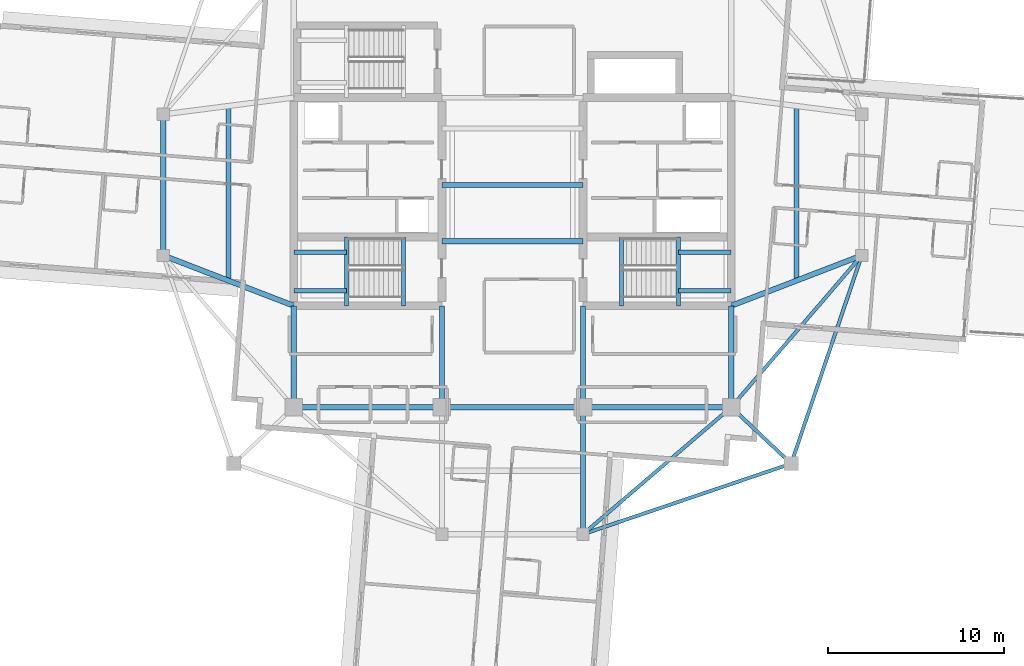
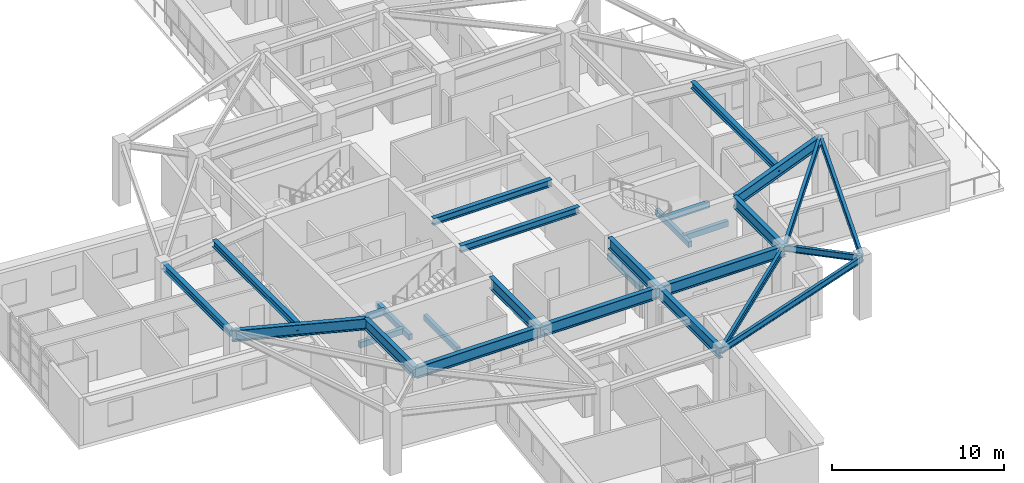
# One storey, part 5 of 23: 28 beams.
"""IFC4 building model written with IfcOpenShell, lengths in metres."""

from ifc_helpers import new_model, si_unit, direction, frame, origin, origin_2d, place, context, subcontext, project, spatial, rectangle, i_section, extrude, material, material_profile, profile_set, type_object, element, save


model = new_model("IFC4")

# Units and contexts
model_context = context("Model", 3, precision=1e-05, world=origin(), true_north=direction((0.0, 1.0)))
body_context = subcontext(model_context, "Body", "Model", "MODEL_VIEW")
ifc_project = project(units=[si_unit("LENGTHUNIT", "METRE"), si_unit("AREAUNIT", "SQUARE_METRE"), si_unit("VOLUMEUNIT", "CUBIC_METRE"), si_unit("PLANEANGLEUNIT", "RADIAN"), si_unit("MASSUNIT", "GRAM", prefix="KILO")], contexts=[model_context])

# Site, building, storey
site_placement = place(None, origin())
site = spatial("IfcSite", under=ifc_project, at=site_placement, CompositionType="ELEMENT")
building_placement = place(site_placement, origin())
building = spatial("IfcBuilding", under=site, at=building_placement, Name="Qingluan Cross Belvedere", CompositionType="ELEMENT")
storey_placement = place(building_placement, frame((0.0, 0.0, 245.39990234375)))
storey = spatial("IfcBuildingStorey", under=building, at=storey_placement, Name="L61", CompositionType="ELEMENT", Elevation=245.39990234375)

# Beams
ifc_material_1 = material(Name="Concrete C45", Category="concrete")
ifc_material_profile_1 = material_profile(ifc_material_1, rectangle(XDim=0.25, YDim=0.39990234375, at=origin_2d()), Name="RC250x400")
ifc_profile_set_1 = profile_set([ifc_material_profile_1], Name="Concrete C45")
beam_type_1 = type_object("IfcBeamType", Name="RC_Lintel_RC250x400", PredefinedType="LINTEL", material=ifc_profile_set_1)
for number, where, z_axis, x_axis, name in (
    (1, (-6.179931640625, -6.85009765625, -0.199951171875), (0.0, 1.0, 0.0), (-1.0, 0.0, 0.0), "Stair ST1 landing beam L61"),
    (2, (6.179931640625, -6.85009765625, -0.199951171875), (0.0, 1.0, 0.0), (-1.0, 0.0, 0.0), "Stair ST2 landing beam L61"),
    (3, (-9.409912109375, -6.85009765625, 1.85009765625), (0.0, 1.0, 0.0), (-1.0, 0.0, 0.0), "Stair ST1 beam A L61"),
):
    element("IfcBeam", number, at=place(storey_placement, frame(where, z_axis=z_axis, x_axis=x_axis)), inside=storey, type_object=beam_type_1, Name=name, PredefinedType="LINTEL", context=body_context, shape_type="SweptSolid", body=[
        extrude(rectangle(XDim=0.25, YDim=0.39990234375, at=origin_2d()), origin(), (0.0, 0.0, 1.0), 3.89013671875),
    ])
for number, where, z_axis, x_axis, name in (
    (4, (-12.39990234375, -6.0, 1.85009765625), (1.0, 0.0, 0.0), (0.0, 1.0, 0.0), "Stair ST1 beam B L61"),
    (5, (-12.39990234375, -3.81005859375, 1.85009765625), (1.0, 0.0, 0.0), (0.0, 1.0, 0.0), "Stair ST1 beam C L61"),
):
    element("IfcBeam", number, at=place(storey_placement, frame(where, z_axis=z_axis, x_axis=x_axis)), inside=storey, type_object=beam_type_1, Name=name, PredefinedType="LINTEL", context=body_context, shape_type="SweptSolid", body=[
        extrude(rectangle(XDim=0.25, YDim=0.39990234375, at=origin_2d()), origin(), (0.0, 0.0, 1.0), 2.989990234375),
    ])
beam_1_placement = place(storey_placement, frame((9.409912109375, -6.85009765625, 1.85009765625), z_axis=(0.0, 1.0, 0.0), x_axis=(-1.0, 0.0, 0.0)))
element("IfcBeam", 6, at=beam_1_placement, inside=storey, type_object=beam_type_1, Name="Stair ST2 beam A L61", PredefinedType="LINTEL", context=body_context, shape_type="SweptSolid", body=[
    extrude(rectangle(XDim=0.25, YDim=0.39990234375, at=origin_2d()), origin(), (0.0, 0.0, 1.0), 3.89013671875),
])
for number, where, z_axis, x_axis, name in (
    (7, (12.39990234375, -6.0, 1.85009765625), (-1.0, 0.0, 0.0), (0.0, -1.0, 0.0), "Stair ST2 beam B L61"),
    (8, (12.39990234375, -3.81005859375, 1.85009765625), (-1.0, 0.0, 0.0), (0.0, -1.0, 0.0), "Stair ST2 beam C L61"),
):
    element("IfcBeam", number, at=place(storey_placement, frame(where, z_axis=z_axis, x_axis=x_axis)), inside=storey, type_object=beam_type_1, Name=name, PredefinedType="LINTEL", context=body_context, shape_type="SweptSolid", body=[
        extrude(rectangle(XDim=0.25, YDim=0.39990234375, at=origin_2d()), origin(), (0.0, 0.0, 1.0), 2.989990234375),
    ])
ifc_material_2 = material(Name="Steel Q420GJB", Category="steel")
ifc_material_profile_2 = material_profile(ifc_material_2, i_section(OverallWidth=0.300048828125, OverallDepth=0.488037109375, WebThickness=0.010986328125, FlangeThickness=0.01806640625, FilletRadius=0.02197265625, at=origin_2d()), Name="HM488x300x11x18")
ifc_profile_set_2 = profile_set([ifc_material_profile_2], Name="Steel Q420GJB")
beam_type_2 = type_object("IfcBeamType", Name="Steel_Beam_HM488x300x11x18", PredefinedType="BEAM", material=ifc_profile_set_2)
for number, where, z_axis, x_axis, name in (
    (9, (-4.0, -3.199951171875, 4.05615234375), (1.0, 0.0, 0.0), (0.0, 1.0, 0.0), "Hall beam L61-CH1"),
    (10, (-4.0, 0.0, 4.05615234375), (1.0, 0.0, 0.0), (0.0, 1.0, 0.0), "Hall beam L61-CH2"),
):
    element("IfcBeam", number, at=place(storey_placement, frame(where, z_axis=z_axis, x_axis=x_axis)), inside=storey, type_object=beam_type_2, Name=name, PredefinedType="BEAM", context=body_context, shape_type="SweptSolid", body=[
        extrude(i_section(OverallWidth=0.300048828125, OverallDepth=0.488037109375, WebThickness=0.010986328125, FlangeThickness=0.01806640625, FilletRadius=0.02197265625, at=origin_2d()), origin(), (0.0, 0.0, 1.0), 8.0),
    ])
beam_2_placement = place(storey_placement, frame((16.10009765625, -5.425048828125, 4.05615234375), z_axis=(0.0, 1.0, 0.0), x_axis=(-1.0, 0.0, 0.0)))
element("IfcBeam", 11, at=beam_2_placement, inside=storey, type_object=beam_type_2, Name="Arm E beam L61", PredefinedType="BEAM", context=body_context, shape_type="SweptSolid", body=[
    extrude(i_section(OverallWidth=0.300048828125, OverallDepth=0.488037109375, WebThickness=0.010986328125, FlangeThickness=0.01806640625, FilletRadius=0.02197265625, at=origin_2d()), origin(), (0.0, 0.0, 1.0), 9.900146484375),
])
beam_3_placement = place(storey_placement, frame((-19.800048828125, -4.0, 4.05615234375), z_axis=(0.0, 1.0, 0.0), x_axis=(-1.0, 0.0, 0.0)))
element("IfcBeam", 12, at=beam_3_placement, inside=storey, type_object=beam_type_2, Name="Arm W tie L61", PredefinedType="BEAM", context=body_context, shape_type="SweptSolid", body=[
    extrude(i_section(OverallWidth=0.300048828125, OverallDepth=0.488037109375, WebThickness=0.010986328125, FlangeThickness=0.01806640625, FilletRadius=0.02197265625, at=origin_2d()), origin(), (0.0, 0.0, 1.0), 8.0),
])
beam_4_placement = place(storey_placement, frame((-16.10009765625, -5.425048828125, 4.05615234375), z_axis=(0.0, 1.0, 0.0), x_axis=(-1.0, 0.0, 0.0)))
element("IfcBeam", 13, at=beam_4_placement, inside=storey, type_object=beam_type_2, Name="Arm W beam L61", PredefinedType="BEAM", context=body_context, shape_type="SweptSolid", body=[
    extrude(i_section(OverallWidth=0.300048828125, OverallDepth=0.488037109375, WebThickness=0.010986328125, FlangeThickness=0.01806640625, FilletRadius=0.02197265625, at=origin_2d()), origin(), (0.0, 0.0, 1.0), 9.900146484375),
])
ifc_material_3 = material(Name="Steel Q420GJB", Category="steel")
ifc_material_profile_3 = material_profile(ifc_material_3, i_section(OverallWidth=0.199951171875, OverallDepth=0.449951171875, WebThickness=0.009033203125, FlangeThickness=0.013916015625, FilletRadius=0.01611328125, at=origin_2d()), Name="HN450x200x9x14")
ifc_profile_set_3 = profile_set([ifc_material_profile_3], Name="Steel Q420GJB")
beam_type_3 = type_object("IfcBeamType", Name="Steel_Beam_HN450x200x9x14", PredefinedType="JOIST", material=ifc_profile_set_3)
beam_5_placement = place(storey_placement, frame((12.39990234375, -12.60009765625, 4.0751953125), z_axis=(0.728219948308, -0.685343495546, 0.0), x_axis=(0.685343495546, 0.728219948308, 0.0)))
element("IfcBeam", 14, at=beam_5_placement, inside=storey, type_object=beam_type_3, Name="Corner beam 1 L61-RSE", PredefinedType="JOIST", context=body_context, shape_type="SweptSolid", body=[
    extrude(i_section(OverallWidth=0.199951171875, OverallDepth=0.449951171875, WebThickness=0.009033203125, FlangeThickness=0.013916015625, FilletRadius=0.01611328125, at=origin_2d()), origin(), (0.0, 0.0, 1.0), 4.669189453125),
])
for number, where, z_axis, x_axis, name in (
    (15, (15.800048828125, -15.800048828125, 4.0751953125), (-0.947066283324, -0.321038089628, 0.0), (0.321038089628, -0.947066283324, 0.0), "Corner beam 2 L61-RSE"),
    (16, (15.800048828125, -15.800048828125, 4.0751953125), (0.321038089628, 0.947066283324, 0.0), (-0.947066283324, 0.321038089628, 0.0), "Corner beam 3 L61-RSE"),
):
    element("IfcBeam", number, at=place(storey_placement, frame(where, z_axis=z_axis, x_axis=x_axis)), inside=storey, type_object=beam_type_3, Name=name, PredefinedType="JOIST", context=body_context, shape_type="SweptSolid", body=[
        extrude(i_section(OverallWidth=0.199951171875, OverallDepth=0.449951171875, WebThickness=0.009033203125, FlangeThickness=0.013916015625, FilletRadius=0.01611328125, at=origin_2d()), origin(), (0.0, 0.0, 1.0), 12.45947265625),
    ])
beam_6_placement = place(storey_placement, frame((12.39990234375, -12.60009765625, 4.0751953125), z_axis=(0.652245077546, 0.75800815221, 0.0), x_axis=(-0.75800815221, 0.652245077546, 0.0)))
element("IfcBeam", 17, at=beam_6_placement, inside=storey, type_object=beam_type_3, Name="Corner beam 4 L61-RSE", PredefinedType="JOIST", context=body_context, shape_type="SweptSolid", body=[
    extrude(i_section(OverallWidth=0.199951171875, OverallDepth=0.449951171875, WebThickness=0.009033203125, FlangeThickness=0.013916015625, FilletRadius=0.01611328125, at=origin_2d()), origin(), (0.0, 0.0, 1.0), 11.345703125),
])
beam_7_placement = place(storey_placement, frame((12.39990234375, -12.60009765625, 4.0751953125), z_axis=(-0.759255044656, -0.650793190779, 0.0), x_axis=(0.650793190779, -0.759255044656, 0.0)))
element("IfcBeam", 18, at=beam_7_placement, inside=storey, type_object=beam_type_3, Name="Corner beam 5 L61-RSE", PredefinedType="JOIST", context=body_context, shape_type="SweptSolid", body=[
    extrude(i_section(OverallWidth=0.199951171875, OverallDepth=0.449951171875, WebThickness=0.009033203125, FlangeThickness=0.013916015625, FilletRadius=0.01611328125, at=origin_2d()), origin(), (0.0, 0.0, 1.0), 11.063232421875),
])
ifc_material_4 = material(Name="Steel Q420GJB", Category="steel")
ifc_material_profile_4 = material_profile(ifc_material_4, i_section(OverallWidth=0.300048828125, OverallDepth=0.800048828125, WebThickness=0.015380859375, FlangeThickness=0.028076171875, FilletRadius=0.030029296875, at=origin_2d()), Name="HEB800")
ifc_profile_set_4 = profile_set([ifc_material_profile_4], Name="Steel Q420GJB")
beam_type_4 = type_object("IfcBeamType", Name="Steel_Girder_HEB800", PredefinedType="USERDEFINED", material=ifc_profile_set_4)
beam_8_placement = place(storey_placement, frame((-12.39990234375, -12.60009765625, 3.900146484375), z_axis=(1.0, 0.0, 0.0), x_axis=(0.0, 1.0, 0.0)))
element("IfcBeam", 19, at=beam_8_placement, inside=storey, type_object=beam_type_4, Name="Hub girder L61-HG-S1", ObjectType="GIRDER", PredefinedType="USERDEFINED", context=body_context, shape_type="SweptSolid", body=[
    extrude(i_section(OverallWidth=0.300048828125, OverallDepth=0.800048828125, WebThickness=0.015380859375, FlangeThickness=0.028076171875, FilletRadius=0.030029296875, at=origin_2d()), origin(), (0.0, 0.0, 1.0), 8.39990234375),
])
beam_9_placement = place(storey_placement, frame((-4.0, -12.60009765625, 3.900146484375), z_axis=(1.0, 0.0, 0.0), x_axis=(0.0, 1.0, 0.0)))
element("IfcBeam", 20, at=beam_9_placement, inside=storey, type_object=beam_type_4, Name="Hub girder L61-HG-S2", ObjectType="GIRDER", PredefinedType="USERDEFINED", context=body_context, shape_type="SweptSolid", body=[
    extrude(i_section(OverallWidth=0.300048828125, OverallDepth=0.800048828125, WebThickness=0.015380859375, FlangeThickness=0.028076171875, FilletRadius=0.030029296875, at=origin_2d()), origin(), (0.0, 0.0, 1.0), 8.0),
])
beam_10_placement = place(storey_placement, frame((4.0, -12.60009765625, 3.900146484375), z_axis=(1.0, 0.0, 0.0), x_axis=(0.0, 1.0, 0.0)))
element("IfcBeam", 21, at=beam_10_placement, inside=storey, type_object=beam_type_4, Name="Hub girder L61-HG-S3", ObjectType="GIRDER", PredefinedType="USERDEFINED", context=body_context, shape_type="SweptSolid", body=[
    extrude(i_section(OverallWidth=0.300048828125, OverallDepth=0.800048828125, WebThickness=0.015380859375, FlangeThickness=0.028076171875, FilletRadius=0.030029296875, at=origin_2d()), origin(), (0.0, 0.0, 1.0), 8.39990234375),
])
for number, where, z_axis, x_axis, name in (
    (22, (-12.39990234375, -12.60009765625, 3.900146484375), (0.0, 1.0, 0.0), (-1.0, 0.0, 0.0), "Hub girder L61-HG-W1"),
    (23, (12.39990234375, -12.60009765625, 3.900146484375), (0.0, 1.0, 0.0), (-1.0, 0.0, 0.0), "Hub girder L61-HG-E1"),
    (24, (-4.0, -12.60009765625, 3.900146484375), (0.0, 1.0, 0.0), (-1.0, 0.0, 0.0), "Hub girder L61-HG-CW"),
    (25, (4.0, -12.60009765625, 3.900146484375), (0.0, 1.0, 0.0), (-1.0, 0.0, 0.0), "Hub girder L61-HG-CE"),
):
    element("IfcBeam", number, at=place(storey_placement, frame(where, z_axis=z_axis, x_axis=x_axis)), inside=storey, type_object=beam_type_4, Name=name, ObjectType="GIRDER", PredefinedType="USERDEFINED", context=body_context, shape_type="SweptSolid", body=[
        extrude(i_section(OverallWidth=0.300048828125, OverallDepth=0.800048828125, WebThickness=0.015380859375, FlangeThickness=0.028076171875, FilletRadius=0.030029296875, at=origin_2d()), origin(), (0.0, 0.0, 1.0), 5.75),
    ])
for number, where, z_axis, x_axis, name in (
    (26, (12.39990234375, -6.85009765625, 3.900146484375), (0.933181258889, 0.359406090735, 0.0), (-0.359406090735, 0.933181258889, 0.0), "Arm E radial girder A L61"),
    (27, (-12.39990234375, -6.85009765625, 3.900146484375), (-0.933181258889, 0.359406090735, 0.0), (-0.359406090735, -0.933181258889, 0.0), "Arm W radial girder A L61"),
):
    element("IfcBeam", number, at=place(storey_placement, frame(where, z_axis=z_axis, x_axis=x_axis)), inside=storey, type_object=beam_type_4, Name=name, ObjectType="GIRDER", PredefinedType="USERDEFINED", context=body_context, shape_type="SweptSolid", body=[
        extrude(i_section(OverallWidth=0.300048828125, OverallDepth=0.800048828125, WebThickness=0.015380859375, FlangeThickness=0.028076171875, FilletRadius=0.030029296875, at=origin_2d()), origin(), (0.0, 0.0, 1.0), 7.929931640625),
    ])
beam_11_placement = place(storey_placement, frame((4.0, -12.60009765625, 3.900146484375), z_axis=(0.0, -1.0, 0.0), x_axis=(1.0, 0.0, 0.0)))
element("IfcBeam", 28, at=beam_11_placement, inside=storey, type_object=beam_type_4, Name="Arm S radial girder B L61", ObjectType="GIRDER", PredefinedType="USERDEFINED", context=body_context, shape_type="SweptSolid", body=[
    extrude(i_section(OverallWidth=0.300048828125, OverallDepth=0.800048828125, WebThickness=0.015380859375, FlangeThickness=0.028076171875, FilletRadius=0.030029296875, at=origin_2d()), origin(), (0.0, 0.0, 1.0), 7.199951171875),
])

save(model, "model.ifc")
